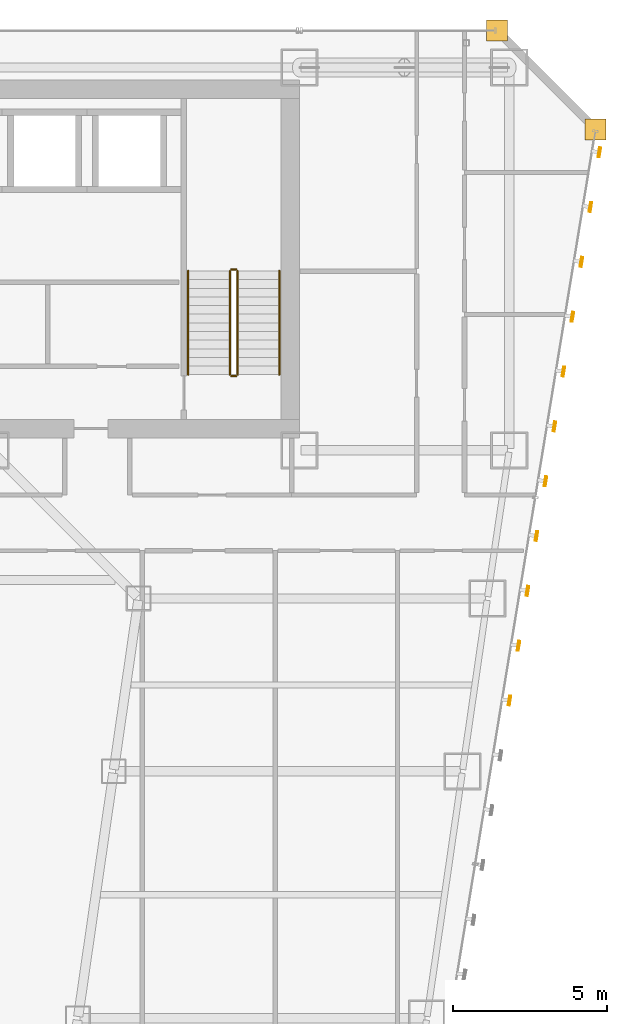
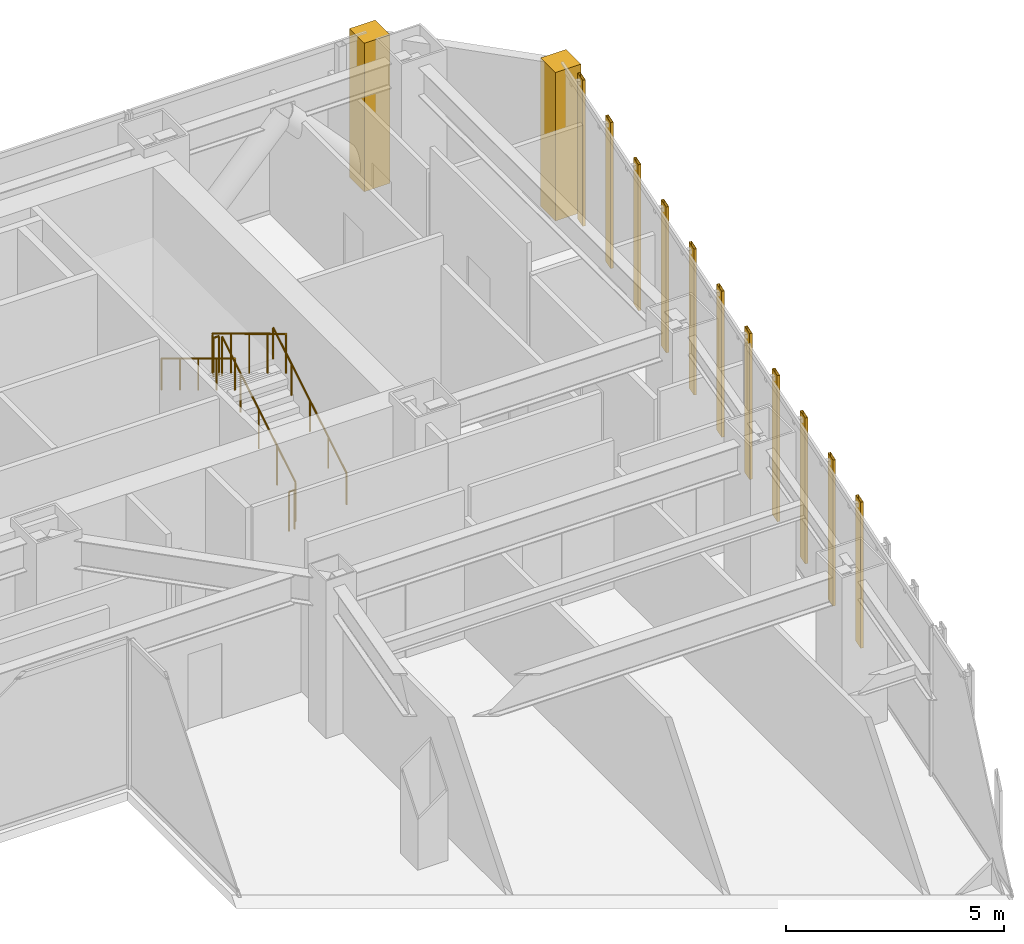
# One storey, part 47 of 47: 11 shading devices, 6 railings, 2 coverings.
"""IFC4 building model written with IfcOpenShell, lengths in metres."""

from ifc_helpers import new_model, si_unit, direction, frame, origin, origin_2d, place, context, subcontext, project, spatial, polyline, hollow_rectangle, circle, outline, extrude, material, layer, layer_set, material_profile, profile_set, type_object, element, save


model = new_model("IFC4")

# Units and contexts
model_context = context("Model", 3, precision=1e-05, world=origin(), true_north=direction((0.0, 1.0)))
body_context = subcontext(model_context, "Body", "Model", "MODEL_VIEW")
ifc_project = project(units=[si_unit("LENGTHUNIT", "METRE"), si_unit("AREAUNIT", "SQUARE_METRE"), si_unit("VOLUMEUNIT", "CUBIC_METRE"), si_unit("PLANEANGLEUNIT", "RADIAN"), si_unit("MASSUNIT", "GRAM", prefix="KILO")], contexts=[model_context])

# Site, building, storey
site_placement = place(None, origin())
site = spatial("IfcSite", under=ifc_project, at=site_placement, CompositionType="ELEMENT")
building_placement = place(site_placement, origin())
building = spatial("IfcBuilding", under=site, at=building_placement, Name="Saevonmaru Cultural Tower", CompositionType="ELEMENT")
storey_placement = place(building_placement, frame((0.0, 0.0, 92.800048828125)))
storey = spatial("IfcBuildingStorey", under=building, at=storey_placement, Name="L19", CompositionType="ELEMENT", Elevation=92.800048828125)

# Coverings
ifc_material_1 = material(Name="Satin Bronze Anodised Aluminium", Category="aluminium")
ifc_layer = layer(ifc_material_1, 0.679931640625, Name="Satin Bronze Anodised Aluminium")
ifc_layer_set = layer_set([ifc_layer], Name="Satin Bronze Anodised Aluminium")
covering_type = type_object("IfcCoveringType", Name="CV-CORNER-CLAD", PredefinedType="CLADDING", material=ifc_layer_set)
covering_1_placement = place(storey_placement, origin())
element("IfcCovering", 1, at=covering_1_placement, inside=storey, type_object=covering_type, Name="L19 Tower Bronze Corner Cladding Pier 9", PredefinedType="CLADDING", context=body_context, shape_type="SweptSolid", body=[
    extrude(outline(polyline([(55.659912109375, 52.4599609375), (56.340087890625, 52.4599609375), (56.340087890625, 53.139892578125), (55.659912109375, 53.139892578125), (55.659912109375, 52.4599609375)])), origin(), (0.0, 0.0, 1.0), 4.14990234375),
])
covering_2_placement = place(storey_placement, origin())
element("IfcCovering", 2, at=covering_2_placement, inside=storey, type_object=covering_type, Name="L19 Tower Bronze Corner Cladding Pier 10", PredefinedType="CLADDING", context=body_context, shape_type="SweptSolid", body=[
    extrude(outline(polyline([(52.4599609375, 55.659912109375), (53.139892578125, 55.659912109375), (53.139892578125, 56.340087890625), (52.4599609375, 56.340087890625), (52.4599609375, 55.659912109375)])), origin(), (0.0, 0.0, 1.0), 4.14990234375),
])

# Railings
ifc_material_2 = material(Name="Architectural Painted Steel", Category="steel")
railing_type_1 = type_object("IfcRailingType", Name="RL-STAIR-GUARD", PredefinedType="GUARDRAIL", material=ifc_material_2)
railing_1_placement = place(storey_placement, frame((44.39990234375, 44.85009765625, 0.169189453125)))
element("IfcRailing", 3, at=railing_1_placement, inside=storey, type_object=railing_type_1, Name="L19 ST-2 stair guard 1", PredefinedType="GUARDRAIL", context=body_context, shape_type="SweptSolid", body=[
    extrude(circle(Radius=0.02392578125, at=origin_2d()), frame((0.0, 0.0, 1.09619140625), z_axis=(0.0, 0.855820338506, 0.51727318527), x_axis=(-1.0, 0.0, 0.0)), (0.0, 0.0, 1.0), 3.92578125),
    extrude(circle(Radius=0.02099609375, at=origin_2d()), origin(), (0.0, 0.0, 1.0), 1.072021484375),
    extrude(circle(Radius=0.02099609375, at=origin_2d()), frame((0.0, 0.83984375, 0.5078125)), (0.0, 0.0, 1.0), 1.072021484375),
    extrude(circle(Radius=0.02099609375, at=origin_2d()), frame((0.0, 1.679931640625, 1.015380859375)), (0.0, 0.0, 1.0), 1.072021484375),
    extrude(circle(Radius=0.02099609375, at=origin_2d()), frame((0.0, 2.52001953125, 1.52294921875)), (0.0, 0.0, 1.0), 1.072021484375),
    extrude(circle(Radius=0.02099609375, at=origin_2d()), frame((0.0, 3.35986328125, 2.03076171875)), (0.0, 0.0, 1.0), 1.072021484375),
])
railing_2_placement = place(storey_placement, frame((44.35009765625, 48.260009765625, 2.199951171875)))
element("IfcRailing", 4, at=railing_2_placement, inside=storey, type_object=railing_type_1, Name="L19 ST-2 stair guard 2", PredefinedType="GUARDRAIL", context=body_context, shape_type="SweptSolid", body=[
    extrude(circle(Radius=0.02392578125, at=origin_2d()), frame((0.0, 0.0, 1.09619140625), z_axis=(-1.0, 0.0, 0.0), x_axis=(0.0, -1.0, 0.0)), (0.0, 0.0, 1.0), 0.150146484375),
    extrude(circle(Radius=0.02099609375, at=origin_2d()), origin(), (0.0, 0.0, 1.0), 1.072021484375),
    extrude(circle(Radius=0.02099609375, at=origin_2d()), frame((-0.150146484375, 0.0, 0.0)), (0.0, 0.0, 1.0), 1.072021484375),
])
railing_3_placement = place(storey_placement, frame((44.14990234375, 48.2099609375, 2.369140625)))
element("IfcRailing", 5, at=railing_3_placement, inside=storey, type_object=railing_type_1, Name="L19 ST-2 stair guard 3", PredefinedType="GUARDRAIL", context=body_context, shape_type="SweptSolid", body=[
    extrude(circle(Radius=0.02392578125, at=origin_2d()), frame((0.0, 0.0, 1.09619140625), z_axis=(0.0, -0.855820338506, 0.51727318527), x_axis=(1.0, 0.0, 0.0)), (0.0, 0.0, 1.0), 3.92578125),
    extrude(circle(Radius=0.02099609375, at=origin_2d()), origin(), (0.0, 0.0, 1.0), 1.072021484375),
    extrude(circle(Radius=0.02099609375, at=origin_2d()), frame((0.0, -0.83984375, 0.5078125)), (0.0, 0.0, 1.0), 1.072021484375),
    extrude(circle(Radius=0.02099609375, at=origin_2d()), frame((0.0, -1.679931640625, 1.015380859375)), (0.0, 0.0, 1.0), 1.072021484375),
    extrude(circle(Radius=0.02099609375, at=origin_2d()), frame((0.0, -2.52001953125, 1.52294921875)), (0.0, 0.0, 1.0), 1.072021484375),
    extrude(circle(Radius=0.02099609375, at=origin_2d()), frame((0.0, -3.35986328125, 2.03076171875)), (0.0, 0.0, 1.0), 1.072021484375),
])
railing_4_placement = place(storey_placement, frame((44.35009765625, 44.800048828125, 0.0)))
element("IfcRailing", 6, at=railing_4_placement, inside=storey, type_object=railing_type_1, Name="L19 ST-2 stair guard 4", PredefinedType="GUARDRAIL", context=body_context, shape_type="SweptSolid", body=[
    extrude(circle(Radius=0.02392578125, at=origin_2d()), frame((0.0, 0.0, 1.09619140625), z_axis=(-1.0, 0.0, 0.0), x_axis=(0.0, -1.0, 0.0)), (0.0, 0.0, 1.0), 0.150146484375),
    extrude(circle(Radius=0.02099609375, at=origin_2d()), origin(), (0.0, 0.0, 1.0), 1.072021484375),
    extrude(circle(Radius=0.02099609375, at=origin_2d()), frame((-0.150146484375, 0.0, 0.0)), (0.0, 0.0, 1.0), 1.072021484375),
])
railing_type_2 = type_object("IfcRailingType", Name="RL-STAIR-HANDRAIL", PredefinedType="HANDRAIL", material=ifc_material_1)
railing_5_placement = place(storey_placement, frame((45.75, 44.85009765625, 0.169189453125)))
element("IfcRailing", 7, at=railing_5_placement, inside=storey, type_object=railing_type_2, Name="L19 ST-2 stair handrail 1", PredefinedType="HANDRAIL", context=body_context, shape_type="SweptSolid", body=[
    extrude(circle(Radius=0.02392578125, at=origin_2d()), frame((0.0, 0.0, 0.8759765625), z_axis=(0.0, 0.855820338506, 0.51727318527), x_axis=(-1.0, 0.0, 0.0)), (0.0, 0.0, 1.0), 3.92578125),
    extrude(circle(Radius=0.02099609375, at=origin_2d()), origin(), (0.0, 0.0, 1.0), 0.851806640625),
    extrude(circle(Radius=0.02099609375, at=origin_2d()), frame((0.0, 0.83984375, 0.5078125)), (0.0, 0.0, 1.0), 0.851806640625),
    extrude(circle(Radius=0.02099609375, at=origin_2d()), frame((0.0, 1.679931640625, 1.015380859375)), (0.0, 0.0, 1.0), 0.851806640625),
    extrude(circle(Radius=0.02099609375, at=origin_2d()), frame((0.0, 2.52001953125, 1.52294921875)), (0.0, 0.0, 1.0), 0.851806640625),
    extrude(circle(Radius=0.02099609375, at=origin_2d()), frame((0.0, 3.35986328125, 2.03076171875)), (0.0, 0.0, 1.0), 0.851806640625),
])
railing_6_placement = place(storey_placement, frame((42.800048828125, 48.2099609375, 2.369140625)))
element("IfcRailing", 8, at=railing_6_placement, inside=storey, type_object=railing_type_2, Name="L19 ST-2 stair handrail 2", PredefinedType="HANDRAIL", context=body_context, shape_type="SweptSolid", body=[
    extrude(circle(Radius=0.02392578125, at=origin_2d()), frame((0.0, 0.0, 0.8759765625), z_axis=(0.0, -0.855820338506, 0.51727318527), x_axis=(1.0, 0.0, 0.0)), (0.0, 0.0, 1.0), 3.92578125),
    extrude(circle(Radius=0.02099609375, at=origin_2d()), origin(), (0.0, 0.0, 1.0), 0.851806640625),
    extrude(circle(Radius=0.02099609375, at=origin_2d()), frame((0.0, -0.83984375, 0.5078125)), (0.0, 0.0, 1.0), 0.851806640625),
    extrude(circle(Radius=0.02099609375, at=origin_2d()), frame((0.0, -1.679931640625, 1.015380859375)), (0.0, 0.0, 1.0), 0.851806640625),
    extrude(circle(Radius=0.02099609375, at=origin_2d()), frame((0.0, -2.52001953125, 1.52294921875)), (0.0, 0.0, 1.0), 0.851806640625),
    extrude(circle(Radius=0.02099609375, at=origin_2d()), frame((0.0, -3.35986328125, 2.03076171875)), (0.0, 0.0, 1.0), 0.851806640625),
])

# Shading devices
ifc_material_profile = material_profile(ifc_material_1, hollow_rectangle(XDim=0.070068359375, YDim=0.320068359375, WallThickness=0.0048828125, at=origin_2d()), Name="FIN-320x70")
ifc_profile_set = profile_set([ifc_material_profile], Name="Satin Bronze Anodised Aluminium")
shading_device_type = type_object("IfcShadingDeviceType", Name="SHD-FIN-320", PredefinedType="JALOUSIE", material=ifc_profile_set)
for number, where, z_axis, x_axis, name in (
    (9, (53.210205078125, 34.2900390625, 0.050048828125), (0.0, 0.0, 1.0), (0.986827496189, -0.161776057456, 0.0), "L19 Art Deco Sawtooth Bronze Fin E8-17"),
    (10, (53.501220703125, 36.06640625, 0.050048828125), (0.0, 0.0, 1.0), (0.986827496189, -0.161776057456, 0.0), "L19 Art Deco Sawtooth Bronze Fin E8-18"),
    (11, (53.792236328125, 37.8427734375, 0.050048828125), (0.0, 0.0, 1.0), (0.986827496189, -0.161776057456, 0.0), "L19 Art Deco Sawtooth Bronze Fin E8-19"),
    (12, (54.083251953125, 39.618896484375, 0.050048828125), (0.0, 0.0, 1.0), (0.986827496189, -0.161776057456, 0.0), "L19 Art Deco Sawtooth Bronze Fin E8-20"),
    (13, (54.37451171875, 41.3955078125, 0.050048828125), (0.0, 0.0, 1.0), (0.986827496189, -0.161776057456, 0.0), "L19 Art Deco Sawtooth Bronze Fin E8-21"),
    (14, (54.665283203125, 43.171630859375, 0.050048828125), (0.0, 0.0, 1.0), (0.986827496189, -0.161776057456, 0.0), "L19 Art Deco Sawtooth Bronze Fin E8-22"),
    (15, (54.95654296875, 44.947998046875, 0.050048828125), (0.0, 0.0, 1.0), (0.986827496189, -0.161776057456, 0.0), "L19 Art Deco Sawtooth Bronze Fin E8-23"),
    (16, (55.24755859375, 46.724365234375, 0.050048828125), (0.0, 0.0, 1.0), (0.986827496189, -0.161776057456, 0.0), "L19 Art Deco Sawtooth Bronze Fin E8-24"),
    (17, (55.538818359375, 48.50048828125, 0.050048828125), (0.0, 0.0, 1.0), (0.986827496189, -0.161776057456, 0.0), "L19 Art Deco Sawtooth Bronze Fin E8-25"),
    (18, (55.829833984375, 50.27685546875, 0.050048828125), (0.0, 0.0, 1.0), (0.986827496189, -0.161776057456, 0.0), "L19 Art Deco Sawtooth Bronze Fin E8-26"),
    (19, (56.120849609375, 52.05322265625, 0.050048828125), (0.0, 0.0, 1.0), (0.986827496189, -0.161776057456, 0.0), "L19 Art Deco Sawtooth Bronze Fin E8-27"),
):
    element("IfcShadingDevice", number, at=place(storey_placement, frame(where, z_axis=z_axis, x_axis=x_axis)), inside=storey, type_object=shading_device_type, Name=name, PredefinedType="JALOUSIE", context=body_context, shape_type="SweptSolid", body=[
        extrude(hollow_rectangle(XDim=0.070068359375, YDim=0.320068359375, WallThickness=0.0048828125, at=origin_2d()), origin(), (0.0, 0.0, 1.0), 4.079833984375),
    ])

save(model, "model.ifc")
